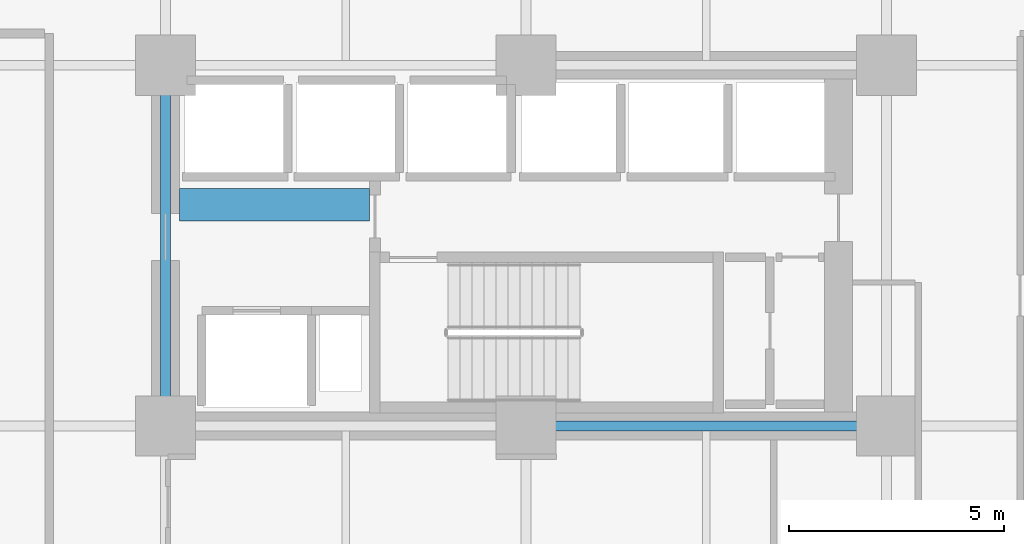
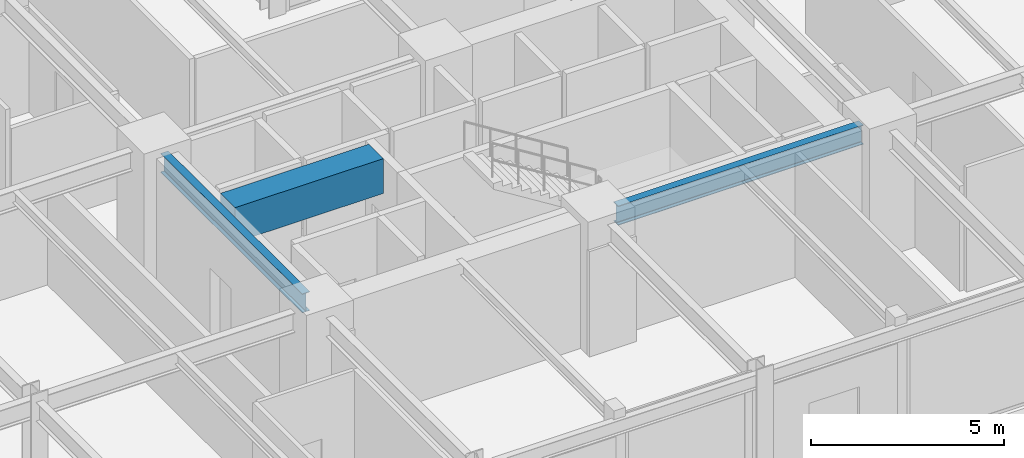
# One storey, part 5 of 24: 3 beams.
"""IFC4 building model written with IfcOpenShell, lengths in metres."""

from ifc_helpers import new_model, si_unit, direction, frame, origin, origin_2d, place, context, subcontext, project, spatial, rectangle, i_section, extrude, material, material_profile, profile_set, type_object, element, save


model = new_model("IFC4")

# Units and contexts
model_context = context("Model", 3, precision=1e-05, world=origin(), true_north=direction((0.0, 1.0)))
body_context = subcontext(model_context, "Body", "Model", "MODEL_VIEW")
ifc_project = project(units=[si_unit("LENGTHUNIT", "METRE"), si_unit("AREAUNIT", "SQUARE_METRE"), si_unit("VOLUMEUNIT", "CUBIC_METRE"), si_unit("PLANEANGLEUNIT", "RADIAN"), si_unit("MASSUNIT", "GRAM", prefix="KILO")], contexts=[model_context])

# Site, building, storey
site_placement = place(None, origin())
site = spatial("IfcSite", under=ifc_project, at=site_placement, CompositionType="ELEMENT")
building_placement = place(site_placement, origin())
building = spatial("IfcBuilding", under=site, at=building_placement, Name="Nerrivon Quay Data Exchange", CompositionType="ELEMENT")
storey_placement = place(building_placement, frame((0.0, 0.0, 50.0)))
storey = spatial("IfcBuildingStorey", under=building, at=storey_placement, Name="L11", CompositionType="ELEMENT", Elevation=50.0)

# Beams
ifc_material_1 = material(Name="Concrete S65 (65 MPa)", Category="concrete")
ifc_material_profile_1 = material_profile(ifc_material_1, rectangle(XDim=0.75, YDim=1.10009765625, at=origin_2d()), Name="RC-CB-750x1100")
ifc_profile_set_1 = profile_set([ifc_material_profile_1], Name="Concrete S65 (65 MPa)")
beam_type_1 = type_object("IfcBeamType", Name="BM-CB1-750x1100", PredefinedType="LINTEL", material=ifc_profile_set_1)
beam_1_placement = place(storey_placement, frame((17.125, 13.550048828125, 3.375), z_axis=(1.0, 0.0, 0.0), x_axis=(0.0, 1.0, 0.0)))
element("IfcBeam", 1, at=beam_1_placement, inside=storey, type_object=beam_type_1, Name="L11 East Core Coupling Beam", PredefinedType="LINTEL", context=body_context, shape_type="SweptSolid", body=[
    extrude(rectangle(XDim=0.75, YDim=1.10009765625, at=origin_2d()), origin(), (0.0, 0.0, 1.0), 4.429931640625),
])
ifc_material_2 = material(Name="Steel Grade 350", Category="steel")
ifc_material_profile_2 = material_profile(ifc_material_2, i_section(OverallWidth=0.22900390625, OverallDepth=0.612060546875, WebThickness=0.011962890625, FlangeThickness=0.01953125, FilletRadius=0.013916015625, at=origin_2d()), Name="610UB125")
ifc_profile_set_2 = profile_set([ifc_material_profile_2], Name="Steel Grade 350")
beam_type_2 = type_object("IfcBeamType", Name="BM-G1-610UB125", PredefinedType="BEAM", material=ifc_profile_set_2)
beam_2_placement = place(storey_placement, frame((25.739990234375, 8.39990234375, 3.618896484375), z_axis=(1.0, 0.0, 0.0), x_axis=(0.0, 1.0, 0.0)))
element("IfcBeam", 2, at=beam_2_placement, inside=storey, type_object=beam_type_2, Name="L11 EW Girder Y=8.4 (25.2..33.6)", PredefinedType="BEAM", context=body_context, shape_type="SweptSolid", body=[
    extrude(i_section(OverallWidth=0.22900390625, OverallDepth=0.612060546875, WebThickness=0.011962890625, FlangeThickness=0.01953125, FilletRadius=0.013916015625, at=origin_2d()), origin(), (0.0, 0.0, 1.0), 7.320068359375),
])
ifc_material_profile_3 = material_profile(ifc_material_2, i_section(OverallWidth=0.22802734375, OverallDepth=0.60205078125, WebThickness=0.010498046875, FlangeThickness=0.014892578125, FilletRadius=0.013916015625, at=origin_2d()), Name="610UB101")
ifc_profile_set_3 = profile_set([ifc_material_profile_3], Name="Steel Grade 350")
beam_type_3 = type_object("IfcBeamType", Name="BM-G2-610UB101", PredefinedType="BEAM", material=ifc_profile_set_3)
beam_3_placement = place(storey_placement, frame((16.800048828125, 8.93994140625, 3.6240234375), z_axis=(0.0, 1.0, 0.0), x_axis=(-1.0, 0.0, 0.0)))
element("IfcBeam", 3, at=beam_3_placement, inside=storey, type_object=beam_type_3, Name="L11 NS Girder X=16.8 (8.4..16.8)", PredefinedType="BEAM", context=body_context, shape_type="SweptSolid", body=[
    extrude(i_section(OverallWidth=0.22802734375, OverallDepth=0.60205078125, WebThickness=0.010498046875, FlangeThickness=0.014892578125, FilletRadius=0.013916015625, at=origin_2d()), origin(), (0.0, 0.0, 1.0), 7.320068359375),
])

save(model, "model.ifc")
